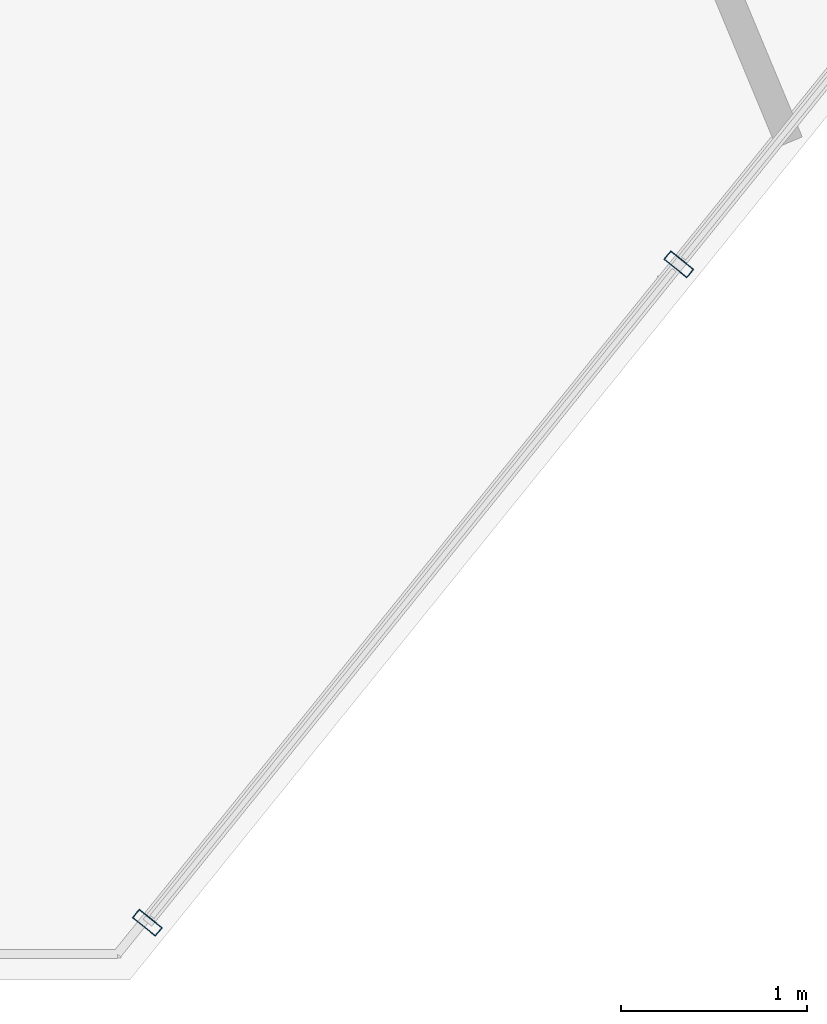
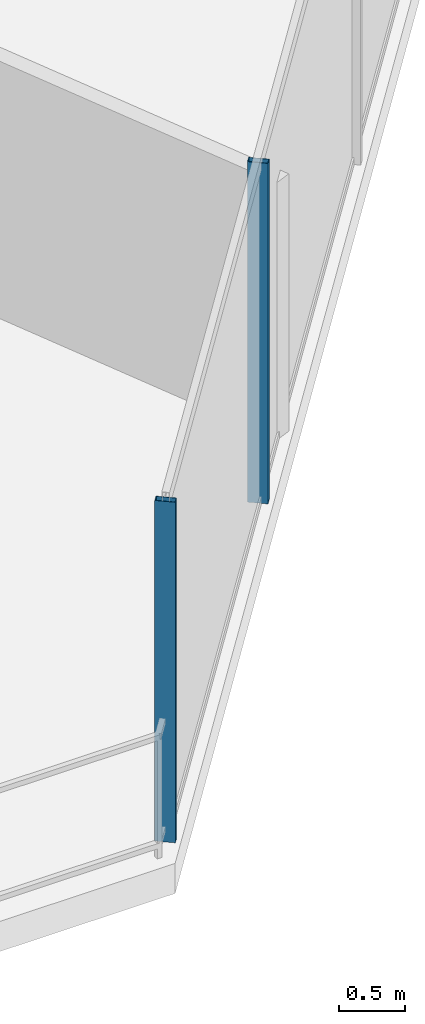
# One storey, part 5 of 32: 2 members, 1 element without a shape of its own.
"""IFC4 building model written with IfcOpenShell, lengths in metres."""

from ifc_helpers import new_model, si_unit, direction, frame, origin, origin_2d, place, context, subcontext, project, spatial, hollow_rectangle, extrude, material, layer, layer_set, material_profile, profile_set, type_object, element, aggregate, save


model = new_model("IFC4")

# Units and contexts
model_context = context("Model", 3, precision=1e-05, world=origin(), true_north=direction((0.0, 1.0)))
body_context = subcontext(model_context, "Body", "Model", "MODEL_VIEW")
ifc_project = project(units=[si_unit("LENGTHUNIT", "METRE"), si_unit("AREAUNIT", "SQUARE_METRE"), si_unit("VOLUMEUNIT", "CUBIC_METRE"), si_unit("PLANEANGLEUNIT", "RADIAN"), si_unit("MASSUNIT", "GRAM", prefix="KILO")], contexts=[model_context])

# Site, building, storey
site_placement = place(None, origin())
site = spatial("IfcSite", under=ifc_project, at=site_placement, CompositionType="ELEMENT")
building_placement = place(site_placement, origin())
building = spatial("IfcBuilding", under=site, at=building_placement, Name="Qarnah Convention Tower", CompositionType="ELEMENT")
storey_placement = place(building_placement, frame((0.0, 0.0, 37.35009765625)))
storey = spatial("IfcBuildingStorey", under=building, at=storey_placement, Name="L08", CompositionType="ELEMENT", Elevation=37.35009765625)

# Curtain wall, members
ifc_material_1 = material(Name="Tempered Low-E dark glass", Category="glass")
ifc_layer = layer(ifc_material_1, 0.16796875)
ifc_layer_set = layer_set([ifc_layer], Name="Tempered Low-E dark glass")
curtain_wall_type = type_object("IfcCurtainWallType", Name="CWS-01", PredefinedType="NOTDEFINED", material=ifc_layer_set)
curtain_wall_placement = place(storey_placement, origin())
curtain_wall = element("IfcCurtainWall", 1, at=curtain_wall_placement, inside=storey, type_object=curtain_wall_type, Name="L08 unitised curtain wall CW-L08-F4", PredefinedType="NOTDEFINED")
ifc_material_2 = material(Name="Black anodised aluminium", Category="aluminium")
ifc_material_profile = material_profile(ifc_material_2, hollow_rectangle(XDim=0.06005859375, YDim=0.159912109375, WallThickness=0.00390625, at=origin_2d()), Name="MUL-60X160")
ifc_profile_set = profile_set([ifc_material_profile], Name="Black anodised aluminium")
member_type = type_object("IfcMemberType", Name="MUL-T1", PredefinedType="MULLION", material=ifc_profile_set)
member_1_placement = place(storey_placement, frame((45.350341796875, 4.457275390625, 0.0), z_axis=(0.0, 0.0, 1.0), x_axis=(-0.62812100032, -0.77811567839, 0.0)))
member_1 = element("IfcMember", 2, at=member_1_placement, type_object=member_type, Name="CW-L08-F4 mullion 3", PredefinedType="MULLION", context=body_context, shape_type="SweptSolid", body=[
    extrude(hollow_rectangle(XDim=0.06005859375, YDim=0.159912109375, WallThickness=0.00390625, at=origin_2d()), origin(), (0.0, 0.0, 1.0), 3.169921875),
])
member_2_placement = place(storey_placement, frame((42.486083984375, 0.908935546875, 0.0), z_axis=(0.0, 0.0, 1.0), x_axis=(-0.62812100032, -0.77811567839, 0.0)))
member_2 = element("IfcMember", 3, at=member_2_placement, type_object=member_type, Name="CW-L08-F4 mullion 4", PredefinedType="MULLION", context=body_context, shape_type="SweptSolid", body=[
    extrude(hollow_rectangle(XDim=0.06005859375, YDim=0.159912109375, WallThickness=0.00390625, at=origin_2d()), origin(), (0.0, 0.0, 1.0), 3.169921875),
])
aggregate(curtain_wall, [member_1, member_2])

save(model, "model.ifc")
